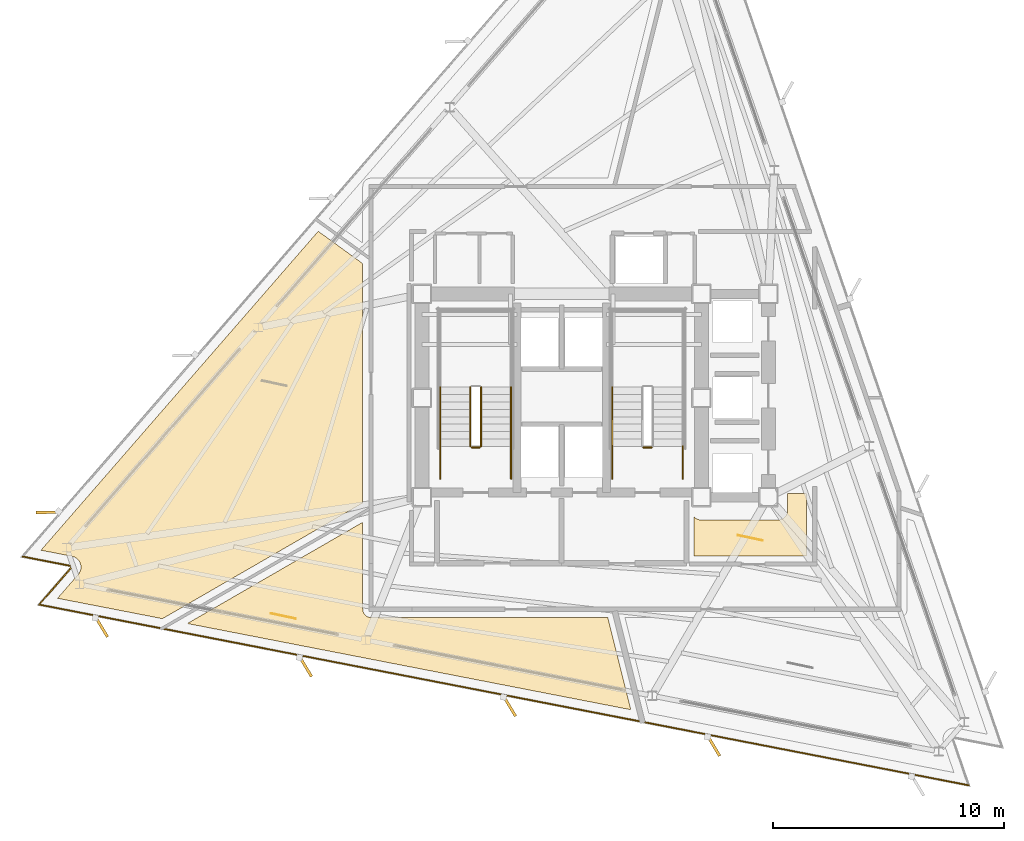
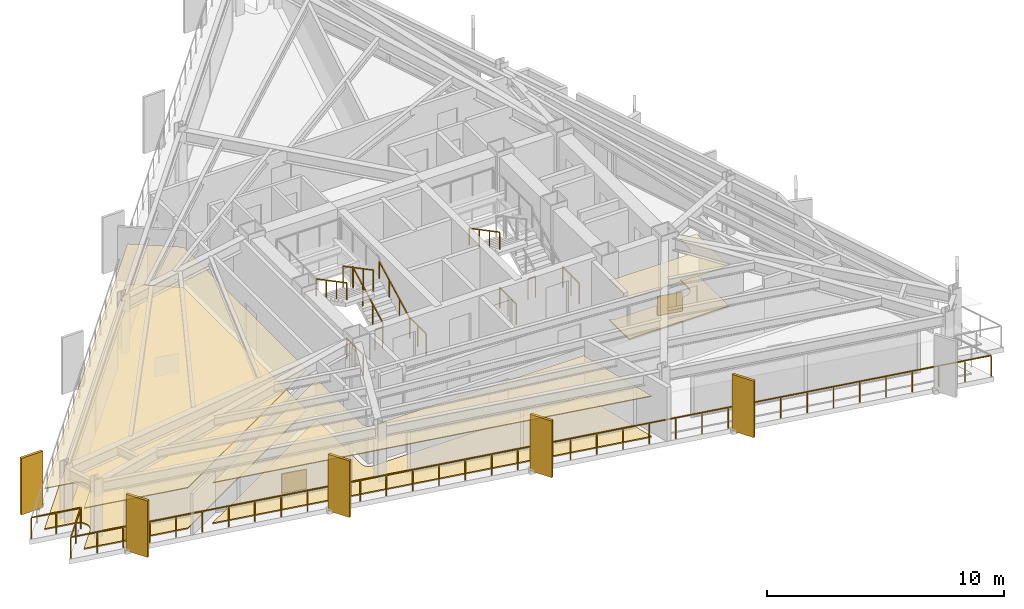
# One storey, part 11 of 13: 12 railings, 8 coverings, 5 shading devices.
"""IFC4 building model written with IfcOpenShell, lengths in metres."""

from ifc_helpers import new_model, si_unit, direction, frame, origin, origin_2d, place, context, subcontext, project, spatial, polyline, rectangle, outline, extrude, material, layer, layer_set, type_object, element, save


model = new_model("IFC4")

# Units and contexts
model_context = context("Model", 3, precision=1e-05, world=origin(), true_north=direction((0.0, 1.0)))
body_context = subcontext(model_context, "Body", "Model", "MODEL_VIEW")
ifc_project = project(units=[si_unit("LENGTHUNIT", "METRE"), si_unit("AREAUNIT", "SQUARE_METRE"), si_unit("VOLUMEUNIT", "CUBIC_METRE"), si_unit("PLANEANGLEUNIT", "RADIAN"), si_unit("MASSUNIT", "GRAM", prefix="KILO")], contexts=[model_context])

# Site, building, storey
site_placement = place(None, origin())
site = spatial("IfcSite", under=ifc_project, at=site_placement, CompositionType="ELEMENT")
building_placement = place(site_placement, origin())
building = spatial("IfcBuilding", under=site, at=building_placement, Name="Rocaltana Carrier Exchange", CompositionType="ELEMENT")
storey_placement = place(building_placement, frame((0.0, 0.0, 150.239990234375)))
storey = spatial("IfcBuildingStorey", under=building, at=storey_placement, Name="L47", CompositionType="ELEMENT", Elevation=150.239990234375)

# Coverings
ifc_material_1 = material(Name="Calcium Sulphate & Aluminium Pedestal", Category="aluminium")
ifc_layer_1 = layer(ifc_material_1, 0.06005859375)
ifc_layer_set_1 = layer_set([ifc_layer_1], Name="Calcium Sulphate & Aluminium Pedestal")
covering_type_1 = type_object("IfcCoveringType", Name="Anti-Static Raised Exchange Access Floor 60", PredefinedType="FLOORING", material=ifc_layer_set_1)
covering_1_placement = place(storey_placement, origin())
element("IfcCovering", 1, at=covering_1_placement, inside=storey, type_object=covering_type_1, Name="L47 Cloud Architecture Office Finish Floor", PredefinedType="FLOORING", context=body_context, shape_type="SweptSolid", body=[
    extrude(outline(polyline([(-20.927490234375, -7.6455078125), (-20.918701171875, -7.635009765625), (-20.906494140625, -7.619140625), (-20.890380859375, -7.596435546875), (-20.879638671875, -7.57958984375), (-20.86572265625, -7.555419921875), (-20.85693359375, -7.53759765625), (-20.845703125, -7.511962890625), (-20.83837890625, -7.493408203125), (-20.829833984375, -7.466796875), (-20.824462890625, -7.447509765625), (-20.818603515625, -7.42041015625), (-20.815185546875, -7.400634765625), (-20.81201171875, -7.372802734375), (-20.810546875, -7.35302734375), (-20.81005859375, -7.3251953125), (-20.810791015625, -7.30517578125), (-20.81298828125, -7.27734375), (-20.815673828125, -7.257568359375), (-20.82080078125, -7.230224609375), (-20.8251953125, -7.210693359375), (-20.8330078125, -7.183837890625), (-20.839599609375, -7.1650390625), (-20.849853515625, -7.13916015625), (-20.8583984375, -7.12109375), (-20.87109375, -7.09619140625), (-20.88134765625, -7.0791015625), (-20.896484375, -7.055908203125), (-20.908447265625, -7.039794921875), (-20.92578125, -7.01806640625), (-20.939208984375, -7.003173828125), (-20.958984375, -6.9833984375), (-20.9736328125, -6.969970703125), (-20.9951171875, -6.9521484375), (-21.010986328125, -6.940185546875), (-21.0341796875, -6.924560546875), (-21.051513671875, -6.914306640625), (-21.075927734375, -6.901123046875), (-21.093994140625, -6.892578125), (-21.119873046875, -6.882080078125), (-21.138671875, -6.875244140625), (-21.165283203125, -6.8671875), (-21.184814453125, -6.862548828125), (-21.1982421875, -6.859619140625), (-22.541748046875, -6.598388671875), (-10.53759765625, 7.2109375), (-8.610107421875, 5.810546875), (-8.610107421875, -4.555419921875), (-17.281494140625, -9.561767578125), (-21.82568359375, -8.6787109375), (-20.927490234375, -7.6455078125)])), origin(), (0.0, 0.0, 1.0), 0.06005859375),
])
covering_2_placement = place(storey_placement, origin())
element("IfcCovering", 2, at=covering_2_placement, inside=storey, type_object=covering_type_1, Name="L47 Network Operations Office Finish Floor", PredefinedType="FLOORING", context=body_context, shape_type="SweptSolid", body=[
    extrude(outline(polyline([(-16.204345703125, -9.771240234375), (-8.610107421875, -5.38671875), (-8.610107421875, -9.14990234375), (-8.609619140625, -9.163818359375), (-8.609375, -9.171630859375), (-8.606689453125, -9.198974609375), (-8.60546875, -9.206787109375), (-8.60009765625, -9.233642578125), (-8.59814453125, -9.2412109375), (-8.590087890625, -9.267578125), (-8.58740234375, -9.27490234375), (-8.576904296875, -9.30029296875), (-8.57373046875, -9.307373046875), (-8.560791015625, -9.331787109375), (-8.556640625, -9.33837890625), (-8.54150390625, -9.361083984375), (-8.53662109375, -9.367431640625), (-8.519287109375, -9.388916015625), (-8.513916015625, -9.39453125), (-8.49462890625, -9.4140625), (-8.48876953125, -9.419189453125), (-8.467529296875, -9.436767578125), (-8.461181640625, -9.44140625), (-8.4384765625, -9.456787109375), (-8.431640625, -9.460693359375), (-8.407470703125, -9.4736328125), (-8.400390625, -9.47705078125), (-8.375, -9.487548828125), (-8.36767578125, -9.490234375), (-8.34130859375, -9.498291015625), (-8.33349609375, -9.5), (-8.306640625, -9.50537109375), (-8.298828125, -9.506591796875), (-8.271484375, -9.50927734375), (-8.263671875, -9.509765625), (-8.25, -9.510009765625), (2.0, -9.510009765625), (2.99560546875, -13.50341796875), (-16.204345703125, -9.771240234375)])), origin(), (0.0, 0.0, 1.0), 0.06005859375),
])
covering_3_placement = place(storey_placement, origin())
element("IfcCovering", 3, at=covering_3_placement, inside=storey, type_object=covering_type_1, Name="L47 Optical Switching Laboratory Finish Floor", PredefinedType="FLOORING", context=body_context, shape_type="SweptSolid", body=[
    extrude(outline(polyline([(5.739990234375, -6.840087890625), (5.739990234375, -5.161865234375), (5.748779296875, -5.170654296875), (5.760498046875, -5.18115234375), (5.78173828125, -5.198486328125), (5.794189453125, -5.2080078125), (5.817138671875, -5.22314453125), (5.83056640625, -5.231201171875), (5.85498046875, -5.244140625), (5.869140625, -5.2509765625), (5.894287109375, -5.261474609375), (5.9091796875, -5.2666015625), (5.935546875, -5.274658203125), (5.95068359375, -5.278564453125), (5.977783203125, -5.283935546875), (5.9931640625, -5.2861328125), (6.0205078125, -5.288818359375), (6.036376953125, -5.289794921875), (6.050048828125, -5.2900390625), (9.35009765625, -5.2900390625), (9.36376953125, -5.289794921875), (9.37939453125, -5.288818359375), (9.40673828125, -5.2861328125), (9.42236328125, -5.283935546875), (9.44921875, -5.278564453125), (9.464599609375, -5.274658203125), (9.49072265625, -5.2666015625), (9.505615234375, -5.261474609375), (9.531005859375, -5.2509765625), (9.545166015625, -5.244140625), (9.5693359375, -5.231201171875), (9.582763671875, -5.22314453125), (9.605712890625, -5.2080078125), (9.618408203125, -5.198486328125), (9.639404296875, -5.18115234375), (9.651123046875, -5.170654296875), (9.670654296875, -5.151123046875), (9.68115234375, -5.139404296875), (9.698486328125, -5.118408203125), (9.7080078125, -5.105712890625), (9.72314453125, -5.082763671875), (9.731201171875, -5.0693359375), (9.744140625, -5.045166015625), (9.7509765625, -5.031005859375), (9.761474609375, -5.005615234375), (9.7666015625, -4.99072265625), (9.774658203125, -4.964599609375), (9.778564453125, -4.94921875), (9.783935546875, -4.92236328125), (9.7861328125, -4.90673828125), (9.788818359375, -4.87939453125), (9.789794921875, -4.86376953125), (9.7900390625, -4.85009765625), (9.7900390625, -4.139892578125), (10.60009765625, -4.139892578125), (10.60009765625, -6.840087890625), (5.739990234375, -6.840087890625)])), origin(), (0.0, 0.0, 1.0), 0.06005859375),
])
ifc_material_2 = material(Name="Mineral Fibre & Powder-Coated Aluminium", Category="aluminium")
ifc_layer_2 = layer(ifc_material_2, 0.044921875)
ifc_layer_set_2 = layer_set([ifc_layer_2], Name="Mineral Fibre & Powder-Coated Aluminium")
covering_type_2 = type_object("IfcCoveringType", Name="Micro-Perforated Acoustic Ceiling 45", PredefinedType="CEILING", material=ifc_layer_set_2)
covering_4_placement = place(storey_placement, frame((0.0, 0.0, 2.093017578125)))
element("IfcCovering", 4, at=covering_4_placement, inside=storey, type_object=covering_type_2, Name="L47 Cloud Architecture Office Acoustic Ceiling", PredefinedType="CEILING", context=body_context, shape_type="SweptSolid", body=[
    extrude(outline(polyline([(-20.927490234375, -7.6455078125), (-20.918701171875, -7.635009765625), (-20.906494140625, -7.619140625), (-20.890380859375, -7.596435546875), (-20.879638671875, -7.57958984375), (-20.86572265625, -7.555419921875), (-20.85693359375, -7.53759765625), (-20.845703125, -7.511962890625), (-20.83837890625, -7.493408203125), (-20.829833984375, -7.466796875), (-20.824462890625, -7.447509765625), (-20.818603515625, -7.42041015625), (-20.815185546875, -7.400634765625), (-20.81201171875, -7.372802734375), (-20.810546875, -7.35302734375), (-20.81005859375, -7.3251953125), (-20.810791015625, -7.30517578125), (-20.81298828125, -7.27734375), (-20.815673828125, -7.257568359375), (-20.82080078125, -7.230224609375), (-20.8251953125, -7.210693359375), (-20.8330078125, -7.183837890625), (-20.839599609375, -7.1650390625), (-20.849853515625, -7.13916015625), (-20.8583984375, -7.12109375), (-20.87109375, -7.09619140625), (-20.88134765625, -7.0791015625), (-20.896484375, -7.055908203125), (-20.908447265625, -7.039794921875), (-20.92578125, -7.01806640625), (-20.939208984375, -7.003173828125), (-20.958984375, -6.9833984375), (-20.9736328125, -6.969970703125), (-20.9951171875, -6.9521484375), (-21.010986328125, -6.940185546875), (-21.0341796875, -6.924560546875), (-21.051513671875, -6.914306640625), (-21.075927734375, -6.901123046875), (-21.093994140625, -6.892578125), (-21.119873046875, -6.882080078125), (-21.138671875, -6.875244140625), (-21.165283203125, -6.8671875), (-21.184814453125, -6.862548828125), (-21.1982421875, -6.859619140625), (-22.541748046875, -6.598388671875), (-10.53759765625, 7.2109375), (-8.610107421875, 5.810546875), (-8.610107421875, -4.555419921875), (-17.281494140625, -9.561767578125), (-21.82568359375, -8.6787109375), (-20.927490234375, -7.6455078125)])), origin(), (0.0, 0.0, 1.0), 0.044921875),
])
covering_5_placement = place(storey_placement, frame((0.0, 0.0, 2.093017578125)))
element("IfcCovering", 5, at=covering_5_placement, inside=storey, type_object=covering_type_2, Name="L47 Network Operations Office Acoustic Ceiling", PredefinedType="CEILING", context=body_context, shape_type="SweptSolid", body=[
    extrude(outline(polyline([(-16.204345703125, -9.771240234375), (-8.610107421875, -5.38671875), (-8.610107421875, -9.14990234375), (-8.609619140625, -9.163818359375), (-8.609375, -9.171630859375), (-8.606689453125, -9.198974609375), (-8.60546875, -9.206787109375), (-8.60009765625, -9.233642578125), (-8.59814453125, -9.2412109375), (-8.590087890625, -9.267578125), (-8.58740234375, -9.27490234375), (-8.576904296875, -9.30029296875), (-8.57373046875, -9.307373046875), (-8.560791015625, -9.331787109375), (-8.556640625, -9.33837890625), (-8.54150390625, -9.361083984375), (-8.53662109375, -9.367431640625), (-8.519287109375, -9.388916015625), (-8.513916015625, -9.39453125), (-8.49462890625, -9.4140625), (-8.48876953125, -9.419189453125), (-8.467529296875, -9.436767578125), (-8.461181640625, -9.44140625), (-8.4384765625, -9.456787109375), (-8.431640625, -9.460693359375), (-8.407470703125, -9.4736328125), (-8.400390625, -9.47705078125), (-8.375, -9.487548828125), (-8.36767578125, -9.490234375), (-8.34130859375, -9.498291015625), (-8.33349609375, -9.5), (-8.306640625, -9.50537109375), (-8.298828125, -9.506591796875), (-8.271484375, -9.50927734375), (-8.263671875, -9.509765625), (-8.25, -9.510009765625), (2.0, -9.510009765625), (2.99560546875, -13.50341796875), (-16.204345703125, -9.771240234375)])), origin(), (0.0, 0.0, 1.0), 0.044921875),
])
covering_6_placement = place(storey_placement, frame((0.0, 0.0, 2.093017578125)))
element("IfcCovering", 6, at=covering_6_placement, inside=storey, type_object=covering_type_2, Name="L47 Optical Switching Laboratory Acoustic Ceiling", PredefinedType="CEILING", context=body_context, shape_type="SweptSolid", body=[
    extrude(outline(polyline([(5.739990234375, -6.840087890625), (5.739990234375, -5.161865234375), (5.748779296875, -5.170654296875), (5.760498046875, -5.18115234375), (5.78173828125, -5.198486328125), (5.794189453125, -5.2080078125), (5.817138671875, -5.22314453125), (5.83056640625, -5.231201171875), (5.85498046875, -5.244140625), (5.869140625, -5.2509765625), (5.894287109375, -5.261474609375), (5.9091796875, -5.2666015625), (5.935546875, -5.274658203125), (5.95068359375, -5.278564453125), (5.977783203125, -5.283935546875), (5.9931640625, -5.2861328125), (6.0205078125, -5.288818359375), (6.036376953125, -5.289794921875), (6.050048828125, -5.2900390625), (9.35009765625, -5.2900390625), (9.36376953125, -5.289794921875), (9.37939453125, -5.288818359375), (9.40673828125, -5.2861328125), (9.42236328125, -5.283935546875), (9.44921875, -5.278564453125), (9.464599609375, -5.274658203125), (9.49072265625, -5.2666015625), (9.505615234375, -5.261474609375), (9.531005859375, -5.2509765625), (9.545166015625, -5.244140625), (9.5693359375, -5.231201171875), (9.582763671875, -5.22314453125), (9.605712890625, -5.2080078125), (9.618408203125, -5.198486328125), (9.639404296875, -5.18115234375), (9.651123046875, -5.170654296875), (9.670654296875, -5.151123046875), (9.68115234375, -5.139404296875), (9.698486328125, -5.118408203125), (9.7080078125, -5.105712890625), (9.72314453125, -5.082763671875), (9.731201171875, -5.0693359375), (9.744140625, -5.045166015625), (9.7509765625, -5.031005859375), (9.761474609375, -5.005615234375), (9.7666015625, -4.99072265625), (9.774658203125, -4.964599609375), (9.778564453125, -4.94921875), (9.783935546875, -4.92236328125), (9.7861328125, -4.90673828125), (9.788818359375, -4.87939453125), (9.789794921875, -4.86376953125), (9.7900390625, -4.85009765625), (9.7900390625, -4.139892578125), (10.60009765625, -4.139892578125), (10.60009765625, -6.840087890625), (5.739990234375, -6.840087890625)])), origin(), (0.0, 0.0, 1.0), 0.044921875),
])

# Railings
ifc_material_3 = material(Name="Brushed Architectural Stainless Tube", Category="steel")
ifc_layer_3 = layer(ifc_material_3, 0.048095703125)
ifc_layer_set_3 = layer_set([ifc_layer_3], Name="Brushed Architectural Stainless Tube")
railing_type_1 = type_object("IfcRailingType", Name="Stair Wall Handrail 920", PredefinedType="HANDRAIL", material=ifc_layer_set_3)
railing_1_placement = place(storey_placement, frame((-2.18994140625, -2.10009765625, 0.1689453125)))
element("IfcRailing", 7, at=railing_1_placement, inside=storey, type_object=railing_type_1, Name="L47 ST-1 stair handrail 1", PredefinedType="HANDRAIL", context=body_context, shape_type="SweptSolid", body=[
    extrude(rectangle(XDim=0.048095703125, YDim=0.048095703125, at=origin_2d()), frame((0.0, 0.0, 0.8759765625), z_axis=(0.0, 0.884394423565, 0.466740295633), x_axis=(-1.0, 0.0, 0.0)), (0.0, 0.0, 1.0), 2.894775390625),
    extrude(rectangle(XDim=0.0419921875, YDim=0.0419921875, at=origin_2d()), origin(), (0.0, 0.0, 1.0), 0.851806640625),
    extrude(rectangle(XDim=0.0419921875, YDim=0.0419921875, at=origin_2d()), frame((0.0, 0.853271484375, 0.450439453125)), (0.0, 0.0, 1.0), 0.851806640625),
    extrude(rectangle(XDim=0.0419921875, YDim=0.0419921875, at=origin_2d()), frame((0.0, 1.706787109375, 0.900634765625)), (0.0, 0.0, 1.0), 0.851806640625),
    extrude(rectangle(XDim=0.0419921875, YDim=0.0419921875, at=origin_2d()), frame((0.0, 2.56005859375, 1.35107421875)), (0.0, 0.0, 1.0), 0.851806640625),
])
for number, where, name in (
    (8, (-5.25, 0.4599609375, 1.68896484375), "L47 ST-1 stair handrail 2"),
    (9, (2.18994140625, 0.4599609375, 1.68896484375), "L47 ST-2 stair handrail 2"),
):
    element("IfcRailing", number, at=place(storey_placement, frame(where)), inside=storey, type_object=railing_type_1, Name=name, PredefinedType="HANDRAIL", context=body_context, shape_type="SweptSolid", body=[
        extrude(rectangle(XDim=0.048095703125, YDim=0.048095703125, at=origin_2d()), frame((0.0, 0.0, 0.8759765625), z_axis=(0.0, -0.884394423565, 0.466740295633), x_axis=(1.0, 0.0, 0.0)), (0.0, 0.0, 1.0), 2.894775390625),
        extrude(rectangle(XDim=0.0419921875, YDim=0.0419921875, at=origin_2d()), origin(), (0.0, 0.0, 1.0), 0.851806640625),
        extrude(rectangle(XDim=0.0419921875, YDim=0.0419921875, at=origin_2d()), frame((0.0, -0.853271484375, 0.450439453125)), (0.0, 0.0, 1.0), 0.851806640625),
        extrude(rectangle(XDim=0.0419921875, YDim=0.0419921875, at=origin_2d()), frame((0.0, -1.706787109375, 0.900634765625)), (0.0, 0.0, 1.0), 0.851806640625),
        extrude(rectangle(XDim=0.0419921875, YDim=0.0419921875, at=origin_2d()), frame((0.0, -2.56005859375, 1.35107421875)), (0.0, 0.0, 1.0), 0.851806640625),
    ])
ifc_material_4 = material(Name="Powder-Coated Aluminium 6063-T6", Category="aluminium")
ifc_layer_4 = layer(ifc_material_4, 0.048095703125)
ifc_layer_set_4 = layer_set([ifc_layer_4], Name="Powder-Coated Aluminium 6063-T6")
railing_type_2 = type_object("IfcRailingType", Name="Stair Well Guardrail 1100", PredefinedType="GUARDRAIL", material=ifc_layer_set_4)
railing_2_placement = place(storey_placement, frame((-3.489990234375, -2.10009765625, 0.1689453125)))
element("IfcRailing", 10, at=railing_2_placement, inside=storey, type_object=railing_type_2, Name="L47 ST-1 stair guard 1", PredefinedType="GUARDRAIL", context=body_context, shape_type="SweptSolid", body=[
    extrude(rectangle(XDim=0.048095703125, YDim=0.048095703125, at=origin_2d()), frame((0.0, 0.0, 1.076171875), z_axis=(0.0, 0.884394423565, 0.466740295633), x_axis=(-1.0, 0.0, 0.0)), (0.0, 0.0, 1.0), 2.894775390625),
    extrude(rectangle(XDim=0.0419921875, YDim=0.0419921875, at=origin_2d()), origin(), (0.0, 0.0, 1.0), 1.052001953125),
    extrude(rectangle(XDim=0.0419921875, YDim=0.0419921875, at=origin_2d()), frame((0.0, 0.853271484375, 0.450439453125)), (0.0, 0.0, 1.0), 1.052001953125),
    extrude(rectangle(XDim=0.0419921875, YDim=0.0419921875, at=origin_2d()), frame((0.0, 1.706787109375, 0.900634765625)), (0.0, 0.0, 1.0), 1.052001953125),
    extrude(rectangle(XDim=0.0419921875, YDim=0.0419921875, at=origin_2d()), frame((0.0, 2.56005859375, 1.35107421875)), (0.0, 0.0, 1.0), 1.052001953125),
])
railing_3_placement = place(storey_placement, frame((-3.949951171875, 0.4599609375, 1.68896484375)))
element("IfcRailing", 11, at=railing_3_placement, inside=storey, type_object=railing_type_2, Name="L47 ST-1 stair guard 6", PredefinedType="GUARDRAIL", context=body_context, shape_type="SweptSolid", body=[
    extrude(rectangle(XDim=0.048095703125, YDim=0.048095703125, at=origin_2d()), frame((0.0, 0.0, 1.076171875), z_axis=(0.0, -0.884394423565, 0.466740295633), x_axis=(1.0, 0.0, 0.0)), (0.0, 0.0, 1.0), 2.894775390625),
    extrude(rectangle(XDim=0.0419921875, YDim=0.0419921875, at=origin_2d()), origin(), (0.0, 0.0, 1.0), 1.052001953125),
    extrude(rectangle(XDim=0.0419921875, YDim=0.0419921875, at=origin_2d()), frame((0.0, -0.853271484375, 0.450439453125)), (0.0, 0.0, 1.0), 1.052001953125),
    extrude(rectangle(XDim=0.0419921875, YDim=0.0419921875, at=origin_2d()), frame((0.0, -1.706787109375, 0.900634765625)), (0.0, 0.0, 1.0), 1.052001953125),
    extrude(rectangle(XDim=0.0419921875, YDim=0.0419921875, at=origin_2d()), frame((0.0, -2.56005859375, 1.35107421875)), (0.0, 0.0, 1.0), 1.052001953125),
])
railing_4_placement = place(storey_placement, frame((-3.5400390625, -2.14990234375, 0.0)))
element("IfcRailing", 12, at=railing_4_placement, inside=storey, type_object=railing_type_2, Name="L47 ST-1 stair guard 7", PredefinedType="GUARDRAIL", context=body_context, shape_type="SweptSolid", body=[
    extrude(rectangle(XDim=0.048095703125, YDim=0.048095703125, at=origin_2d()), frame((0.0, 0.0, 1.076171875), z_axis=(-1.0, 0.0, 0.0), x_axis=(0.0, -1.0, 0.0)), (0.0, 0.0, 1.0), 0.35986328125),
    extrude(rectangle(XDim=0.0419921875, YDim=0.0419921875, at=origin_2d()), origin(), (0.0, 0.0, 1.0), 1.052001953125),
    extrude(rectangle(XDim=0.0419921875, YDim=0.0419921875, at=origin_2d()), frame((-0.35986328125, 0.0, 0.0)), (0.0, 0.0, 1.0), 1.052001953125),
])
for number, where, name in (
    (13, (-2.18994140625, -3.5, 0.0), "L47 ST-1 stair guard 8"),
    (14, (-5.25, -3.5, 0.0), "L47 ST-1 stair guard 9"),
):
    element("IfcRailing", number, at=place(storey_placement, frame(where)), inside=storey, type_object=railing_type_2, Name=name, PredefinedType="GUARDRAIL", context=body_context, shape_type="SweptSolid", body=[
        extrude(rectangle(XDim=0.048095703125, YDim=0.048095703125, at=origin_2d()), frame((0.0, 0.0, 1.076171875), z_axis=(0.0, 1.0, 0.0), x_axis=(-1.0, 0.0, 0.0)), (0.0, 0.0, 1.0), 1.39990234375),
        extrude(rectangle(XDim=0.0419921875, YDim=0.0419921875, at=origin_2d()), origin(), (0.0, 0.0, 1.0), 1.052001953125),
        extrude(rectangle(XDim=0.0419921875, YDim=0.0419921875, at=origin_2d()), frame((0.0, 0.699951171875, 0.0)), (0.0, 0.0, 1.0), 1.052001953125),
        extrude(rectangle(XDim=0.0419921875, YDim=0.0419921875, at=origin_2d()), frame((0.0, 1.39990234375, 0.0)), (0.0, 0.0, 1.0), 1.052001953125),
    ])
railing_5_placement = place(storey_placement, frame((3.89990234375, -2.14990234375, 0.0)))
element("IfcRailing", 15, at=railing_5_placement, inside=storey, type_object=railing_type_2, Name="L47 ST-2 stair guard 7", PredefinedType="GUARDRAIL", context=body_context, shape_type="SweptSolid", body=[
    extrude(rectangle(XDim=0.048095703125, YDim=0.048095703125, at=origin_2d()), frame((0.0, 0.0, 1.076171875), z_axis=(-1.0, 0.0, 0.0), x_axis=(0.0, -1.0, 0.0)), (0.0, 0.0, 1.0), 0.35986328125),
    extrude(rectangle(XDim=0.0419921875, YDim=0.0419921875, at=origin_2d()), origin(), (0.0, 0.0, 1.0), 1.052001953125),
    extrude(rectangle(XDim=0.0419921875, YDim=0.0419921875, at=origin_2d()), frame((-0.35986328125, 0.0, 0.0)), (0.0, 0.0, 1.0), 1.052001953125),
])
for number, where, name in (
    (16, (5.25, -3.5, 0.0), "L47 ST-2 stair guard 8"),
    (17, (2.18994140625, -3.5, 0.0), "L47 ST-2 stair guard 9"),
):
    element("IfcRailing", number, at=place(storey_placement, frame(where)), inside=storey, type_object=railing_type_2, Name=name, PredefinedType="GUARDRAIL", context=body_context, shape_type="SweptSolid", body=[
        extrude(rectangle(XDim=0.048095703125, YDim=0.048095703125, at=origin_2d()), frame((0.0, 0.0, 1.076171875), z_axis=(0.0, 1.0, 0.0), x_axis=(-1.0, 0.0, 0.0)), (0.0, 0.0, 1.0), 1.39990234375),
        extrude(rectangle(XDim=0.0419921875, YDim=0.0419921875, at=origin_2d()), origin(), (0.0, 0.0, 1.0), 1.052001953125),
        extrude(rectangle(XDim=0.0419921875, YDim=0.0419921875, at=origin_2d()), frame((0.0, 0.699951171875, 0.0)), (0.0, 0.0, 1.0), 1.052001953125),
        extrude(rectangle(XDim=0.0419921875, YDim=0.0419921875, at=origin_2d()), frame((0.0, 1.39990234375, 0.0)), (0.0, 0.0, 1.0), 1.052001953125),
    ])

# Coverings
ifc_material_5 = material(Name="Honed Piedra Muneca Sandstone", Category="masonry")
ifc_layer_5 = layer(ifc_material_5, 0.034912109375)
ifc_layer_set_5 = layer_set([ifc_layer_5], Name="Honed Piedra Muneca Sandstone")
covering_type_3 = type_object("IfcCoveringType", Name="Stone Facade Cladding 35", PredefinedType="CLADDING", material=ifc_layer_set_5)
for number, where, z_axis, x_axis, name in (
    (18, (-12.048095703125, -9.448974609375, 0.0), (0.0, 0.0, 1.0), (-0.978147600734, 0.207911690818, 0.0), "L47 Stone Facade Cladding Panel 2"),
    (19, (8.169921875, -6.06494140625, 0.0), (0.0, 0.0, 1.0), (-0.978147600734, 0.207911690818, 0.0), "L47 Stone Facade Cladding Panel 4"),
):
    element("IfcCovering", number, at=place(storey_placement, frame(where, z_axis=z_axis, x_axis=x_axis)), inside=storey, type_object=covering_type_3, Name=name, PredefinedType="CLADDING", context=body_context, shape_type="SweptSolid", body=[
        extrude(rectangle(XDim=1.10009765625, YDim=0.034912109375, at=origin_2d()), origin(), (0.0, 0.0, 1.0), 1.050048828125),
    ])

# Shading devices
ifc_material_6 = material(Name="Honed Bogota Sandstone & Concrete C45/55", Category="masonry")
ifc_layer_6 = layer(ifc_material_6, 0.1201171875)
ifc_layer_set_6 = layer_set([ifc_layer_6], Name="Honed Bogota Sandstone & Concrete C45/55")
shading_device_type = type_object("IfcShadingDeviceType", Name="Upper Sandstone Shading Fin 1050x120", PredefinedType="USERDEFINED", material=ifc_layer_set_6)
for number, where, z_axis, x_axis, name in (
    (20, (-22.228759765625, -4.95703125, -0.1201171875), (0.0, 0.0, 1.0), (-0.999847695156, -0.017452406437, 0.0), "L47 Sandstone Vertical Fin F2-05"),
    (21, (-19.93115234375, -9.90283203125, -0.1201171875), (0.0, 0.0, 1.0), (0.51503807491, -0.857167300702, 0.0), "L47 Sandstone Vertical Fin F3-01"),
    (22, (-11.0966796875, -11.6201171875, -0.1201171875), (0.0, 0.0, 1.0), (0.51503807491, -0.857167300702, 0.0), "L47 Sandstone Vertical Fin F3-02"),
    (23, (-2.261962890625, -13.33740234375, -0.1201171875), (0.0, 0.0, 1.0), (0.51503807491, -0.857167300702, 0.0), "L47 Sandstone Vertical Fin F3-03"),
    (24, (6.57275390625, -15.0546875, -0.1201171875), (0.0, 0.0, 1.0), (0.51503807491, -0.857167300702, 0.0), "L47 Sandstone Vertical Fin F3-04"),
):
    element("IfcShadingDevice", number, at=place(storey_placement, frame(where, z_axis=z_axis, x_axis=x_axis)), inside=storey, type_object=shading_device_type, Name=name, ObjectType="FIN", PredefinedType="USERDEFINED", context=body_context, shape_type="SweptSolid", body=[
        extrude(rectangle(XDim=1.050048828125, YDim=0.1201171875, at=origin_2d()), origin(), (0.0, 0.0, 1.0), 2.907958984375),
    ])

# Railing
ifc_material_7 = material(Name="Powder-Coated Aluminium 6063-T6", Category="aluminium")
ifc_layer_7 = layer(ifc_material_7, 0.06005859375)
ifc_layer_set_7 = layer_set([ifc_layer_7], Name="Powder-Coated Aluminium 6063-T6")
railing_type_3 = type_object("IfcRailingType", Name="Wind-Floor & Terrace Perimeter Guardrail 1100", PredefinedType="GUARDRAIL", material=ifc_layer_set_7)
railing_6_placement = place(storey_placement, frame((17.619140625, -16.773681640625, 0.0)))
element("IfcRailing", 25, at=railing_6_placement, inside=storey, type_object=railing_type_3, Name="L47 Perimeter Balcony Guardrail 1", PredefinedType="GUARDRAIL", context=body_context, shape_type="SweptSolid", body=[
    extrude(rectangle(XDim=0.048095703125, YDim=0.048095703125, at=origin_2d()), frame((0.0, 0.0, 1.076171875), z_axis=(-0.981626701724, 0.190811473615, 0.0), x_axis=(-0.190811473615, -0.981626701724, 0.0)), (0.0, 0.0, 1.0), 40.9921875),
    extrude(rectangle(XDim=0.048095703125, YDim=0.048095703125, at=origin_2d()), frame((-40.239013671875, 7.82177734375, 1.076171875), z_axis=(0.656057821484, 0.75471062989, 0.0), x_axis=(-0.75471062989, 0.656057821484, 0.0)), (0.0, 0.0, 1.0), 2.199951171875),
    extrude(rectangle(XDim=0.048095703125, YDim=0.048095703125, at=origin_2d()), frame((-38.795654296875, 9.482177734375, 1.076171875), z_axis=(-0.98163329095, 0.190777572317, 0.0), x_axis=(-0.190777572317, -0.98163329095, 0.0)), (0.0, 0.0, 1.0), 2.19970703125),
    extrude(rectangle(XDim=0.0419921875, YDim=0.0419921875, at=origin_2d()), origin(), (0.0, 0.0, 1.0), 1.052001953125),
    extrude(rectangle(XDim=0.0419921875, YDim=0.0419921875, at=origin_2d()), frame((-1.149658203125, 0.223388671875, 0.0)), (0.0, 0.0, 1.0), 1.052001953125),
    extrude(rectangle(XDim=0.0419921875, YDim=0.0419921875, at=origin_2d()), frame((-2.29931640625, 0.447021484375, 0.0)), (0.0, 0.0, 1.0), 1.052001953125),
    extrude(rectangle(XDim=0.0419921875, YDim=0.0419921875, at=origin_2d()), frame((-3.448974609375, 0.67041015625, 0.0)), (0.0, 0.0, 1.0), 1.052001953125),
    extrude(rectangle(XDim=0.0419921875, YDim=0.0419921875, at=origin_2d()), frame((-4.5986328125, 0.893798828125, 0.0)), (0.0, 0.0, 1.0), 1.052001953125),
    extrude(rectangle(XDim=0.0419921875, YDim=0.0419921875, at=origin_2d()), frame((-5.74853515625, 1.117431640625, 0.0)), (0.0, 0.0, 1.0), 1.052001953125),
    extrude(rectangle(XDim=0.0419921875, YDim=0.0419921875, at=origin_2d()), frame((-6.898193359375, 1.3408203125, 0.0)), (0.0, 0.0, 1.0), 1.052001953125),
    extrude(rectangle(XDim=0.0419921875, YDim=0.0419921875, at=origin_2d()), frame((-8.0478515625, 1.564453125, 0.0)), (0.0, 0.0, 1.0), 1.052001953125),
    extrude(rectangle(XDim=0.0419921875, YDim=0.0419921875, at=origin_2d()), frame((-9.197509765625, 1.787841796875, 0.0)), (0.0, 0.0, 1.0), 1.052001953125),
    extrude(rectangle(XDim=0.0419921875, YDim=0.0419921875, at=origin_2d()), frame((-10.34716796875, 2.01123046875, 0.0)), (0.0, 0.0, 1.0), 1.052001953125),
    extrude(rectangle(XDim=0.0419921875, YDim=0.0419921875, at=origin_2d()), frame((-11.496826171875, 2.23486328125, 0.0)), (0.0, 0.0, 1.0), 1.052001953125),
    extrude(rectangle(XDim=0.0419921875, YDim=0.0419921875, at=origin_2d()), frame((-12.646484375, 2.458251953125, 0.0)), (0.0, 0.0, 1.0), 1.052001953125),
    extrude(rectangle(XDim=0.0419921875, YDim=0.0419921875, at=origin_2d()), frame((-13.796142578125, 2.681640625, 0.0)), (0.0, 0.0, 1.0), 1.052001953125),
    extrude(rectangle(XDim=0.0419921875, YDim=0.0419921875, at=origin_2d()), frame((-14.94580078125, 2.9052734375, 0.0)), (0.0, 0.0, 1.0), 1.052001953125),
    extrude(rectangle(XDim=0.0419921875, YDim=0.0419921875, at=origin_2d()), frame((-16.095703125, 3.128662109375, 0.0)), (0.0, 0.0, 1.0), 1.052001953125),
    extrude(rectangle(XDim=0.0419921875, YDim=0.0419921875, at=origin_2d()), frame((-17.245361328125, 3.352294921875, 0.0)), (0.0, 0.0, 1.0), 1.052001953125),
    extrude(rectangle(XDim=0.0419921875, YDim=0.0419921875, at=origin_2d()), frame((-18.39501953125, 3.57568359375, 0.0)), (0.0, 0.0, 1.0), 1.052001953125),
    extrude(rectangle(XDim=0.0419921875, YDim=0.0419921875, at=origin_2d()), frame((-19.544677734375, 3.799072265625, 0.0)), (0.0, 0.0, 1.0), 1.052001953125),
    extrude(rectangle(XDim=0.0419921875, YDim=0.0419921875, at=origin_2d()), frame((-20.6943359375, 4.022705078125, 0.0)), (0.0, 0.0, 1.0), 1.052001953125),
    extrude(rectangle(XDim=0.0419921875, YDim=0.0419921875, at=origin_2d()), frame((-21.843994140625, 4.24609375, 0.0)), (0.0, 0.0, 1.0), 1.052001953125),
    extrude(rectangle(XDim=0.0419921875, YDim=0.0419921875, at=origin_2d()), frame((-22.99365234375, 4.469482421875, 0.0)), (0.0, 0.0, 1.0), 1.052001953125),
    extrude(rectangle(XDim=0.0419921875, YDim=0.0419921875, at=origin_2d()), frame((-24.143310546875, 4.693115234375, 0.0)), (0.0, 0.0, 1.0), 1.052001953125),
    extrude(rectangle(XDim=0.0419921875, YDim=0.0419921875, at=origin_2d()), frame((-25.293212890625, 4.91650390625, 0.0)), (0.0, 0.0, 1.0), 1.052001953125),
    extrude(rectangle(XDim=0.0419921875, YDim=0.0419921875, at=origin_2d()), frame((-26.44287109375, 5.14013671875, 0.0)), (0.0, 0.0, 1.0), 1.052001953125),
    extrude(rectangle(XDim=0.0419921875, YDim=0.0419921875, at=origin_2d()), frame((-27.592529296875, 5.363525390625, 0.0)), (0.0, 0.0, 1.0), 1.052001953125),
    extrude(rectangle(XDim=0.0419921875, YDim=0.0419921875, at=origin_2d()), frame((-28.7421875, 5.5869140625, 0.0)), (0.0, 0.0, 1.0), 1.052001953125),
    extrude(rectangle(XDim=0.0419921875, YDim=0.0419921875, at=origin_2d()), frame((-29.891845703125, 5.810546875, 0.0)), (0.0, 0.0, 1.0), 1.052001953125),
    extrude(rectangle(XDim=0.0419921875, YDim=0.0419921875, at=origin_2d()), frame((-31.04150390625, 6.033935546875, 0.0)), (0.0, 0.0, 1.0), 1.052001953125),
    extrude(rectangle(XDim=0.0419921875, YDim=0.0419921875, at=origin_2d()), frame((-32.191162109375, 6.25732421875, 0.0)), (0.0, 0.0, 1.0), 1.052001953125),
    extrude(rectangle(XDim=0.0419921875, YDim=0.0419921875, at=origin_2d()), frame((-33.3408203125, 6.48095703125, 0.0)), (0.0, 0.0, 1.0), 1.052001953125),
    extrude(rectangle(XDim=0.0419921875, YDim=0.0419921875, at=origin_2d()), frame((-34.490478515625, 6.704345703125, 0.0)), (0.0, 0.0, 1.0), 1.052001953125),
    extrude(rectangle(XDim=0.0419921875, YDim=0.0419921875, at=origin_2d()), frame((-35.640380859375, 6.927978515625, 0.0)), (0.0, 0.0, 1.0), 1.052001953125),
    extrude(rectangle(XDim=0.0419921875, YDim=0.0419921875, at=origin_2d()), frame((-36.7900390625, 7.1513671875, 0.0)), (0.0, 0.0, 1.0), 1.052001953125),
    extrude(rectangle(XDim=0.0419921875, YDim=0.0419921875, at=origin_2d()), frame((-37.939697265625, 7.374755859375, 0.0)), (0.0, 0.0, 1.0), 1.052001953125),
    extrude(rectangle(XDim=0.0419921875, YDim=0.0419921875, at=origin_2d()), frame((-39.08935546875, 7.598388671875, 0.0)), (0.0, 0.0, 1.0), 1.052001953125),
    extrude(rectangle(XDim=0.0419921875, YDim=0.0419921875, at=origin_2d()), frame((-40.239013671875, 7.82177734375, 0.0)), (0.0, 0.0, 1.0), 1.052001953125),
    extrude(rectangle(XDim=0.0419921875, YDim=0.0419921875, at=origin_2d()), frame((-39.517333984375, 8.65185546875, 0.0)), (0.0, 0.0, 1.0), 1.052001953125),
    extrude(rectangle(XDim=0.0419921875, YDim=0.0419921875, at=origin_2d()), frame((-38.795654296875, 9.482177734375, 0.0)), (0.0, 0.0, 1.0), 1.052001953125),
    extrude(rectangle(XDim=0.0419921875, YDim=0.0419921875, at=origin_2d()), frame((-39.87548828125, 9.69189453125, 0.0)), (0.0, 0.0, 1.0), 1.052001953125),
    extrude(rectangle(XDim=0.0419921875, YDim=0.0419921875, at=origin_2d()), frame((-40.955078125, 9.90185546875, 0.0)), (0.0, 0.0, 1.0), 1.052001953125),
])

save(model, "model.ifc")
